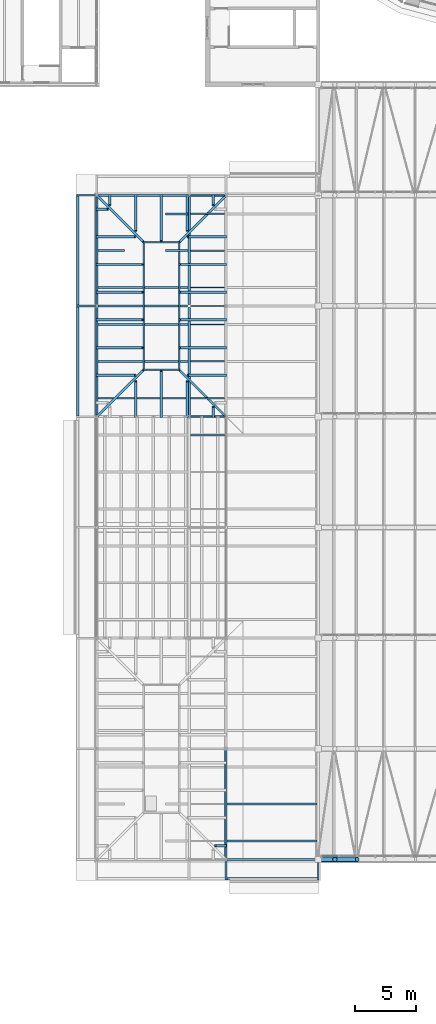
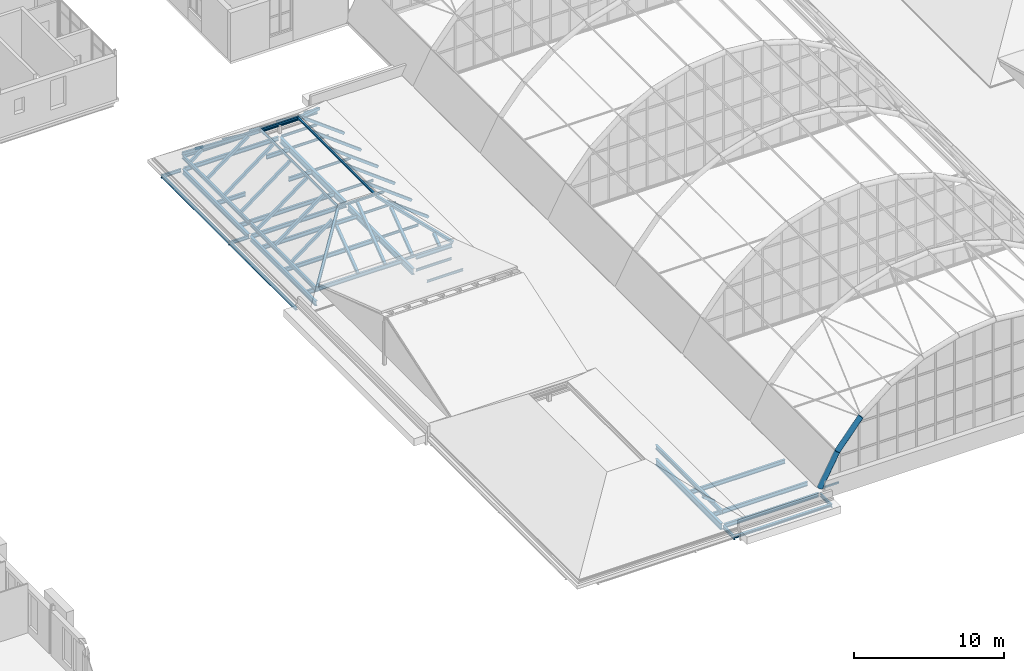
# One storey, part 19 of 121: 40 beams, 34 members, 1 element without a shape of its own.
"""IFC4 building model written with IfcOpenShell, lengths in metres."""

from ifc_helpers import new_model, si_unit, direction, frame, origin, origin_2d, place, context, subcontext, project, spatial, hollow_rectangle, hollow_circle, i_section, extrude, material, material_profile, profile_set, type_object, element, aggregate, save


model = new_model("IFC4")

# Units and contexts
model_context = context("Model", 3, precision=1e-05, world=origin(), true_north=direction((0.0, 1.0)))
body_context = subcontext(model_context, "Body", "Model", "MODEL_VIEW")
ifc_project = project(units=[si_unit("LENGTHUNIT", "METRE"), si_unit("AREAUNIT", "SQUARE_METRE"), si_unit("VOLUMEUNIT", "CUBIC_METRE"), si_unit("PLANEANGLEUNIT", "RADIAN"), si_unit("MASSUNIT", "GRAM", prefix="KILO")], contexts=[model_context])

# Site, building, storey
site_placement = place(None, origin())
site = spatial("IfcSite", under=ifc_project, at=site_placement, CompositionType="ELEMENT")
building_placement = place(site_placement, origin())
building = spatial("IfcBuilding", under=site, at=building_placement, Name="Golden Quay Civic Hall", CompositionType="ELEMENT")
storey_placement = place(building_placement, frame((0.0, 0.0, 18.60009765625)))
storey = spatial("IfcBuildingStorey", under=building, at=storey_placement, Name="L04", CompositionType="ELEMENT", Elevation=18.60009765625)

# Beams
ifc_material_1 = material(Name="Steel S355", Category="steel")
ifc_material_profile_1 = material_profile(ifc_material_1, i_section(OverallWidth=0.199951171875, OverallDepth=0.18994140625, WebThickness=0.006591796875, FlangeThickness=0.010009765625, FilletRadius=0.01806640625, at=origin_2d()), Name="HEA 200")
ifc_profile_set_1 = profile_set([ifc_material_profile_1], Name="Steel S355")
beam_type_1 = type_object("IfcBeamType", Name="Eave edge beam HEA 200", PredefinedType="BEAM", material=ifc_profile_set_1)
for number, where, z_axis, x_axis, name in (
    (1, (52.449951171875, 36.0673828125, -0.34521484375), (0.0, 1.0, 0.0), (-1.0, 0.0, 0.0), "Eave edge beam HEA 200 L04 5"),
    (2, (52.449951171875, 45.0673828125, -0.34521484375), (0.0, 1.0, 0.0), (-1.0, 0.0, 0.0), "Eave edge beam HEA 200 L04 6"),
):
    element("IfcBeam", number, at=place(storey_placement, frame(where, z_axis=z_axis, x_axis=x_axis)), inside=storey, type_object=beam_type_1, Name=name, PredefinedType="BEAM", context=body_context, shape_type="SweptSolid", body=[
        extrude(i_section(OverallWidth=0.199951171875, OverallDepth=0.18994140625, WebThickness=0.006591796875, FlangeThickness=0.010009765625, FilletRadius=0.01806640625, at=origin_2d()), origin(), (0.0, 0.0, 1.0), 8.865234375),
    ])
beam_1_placement = place(storey_placement, frame((64.5673828125, -1.550048828125, -0.34521484375), z_axis=(1.0, 0.0, 0.0), x_axis=(0.0, 1.0, 0.0)))
element("IfcBeam", 3, at=beam_1_placement, inside=storey, type_object=beam_type_1, Name="Eave edge beam HEA 200 L04 12", PredefinedType="BEAM", context=body_context, shape_type="SweptSolid", body=[
    extrude(i_section(OverallWidth=0.199951171875, OverallDepth=0.18994140625, WebThickness=0.006591796875, FlangeThickness=0.010009765625, FilletRadius=0.01806640625, at=origin_2d()), origin(), (0.0, 0.0, 1.0), 7.365234375),
])
ifc_material_2 = material(Name="Steel S355", Category="steel")
ifc_material_profile_2 = material_profile(ifc_material_2, i_section(OverallWidth=0.135009765625, OverallDepth=0.27001953125, WebThickness=0.006591796875, FlangeThickness=0.01025390625, FilletRadius=0.014892578125, at=origin_2d()), Name="IPE 270")
ifc_profile_set_2 = profile_set([ifc_material_profile_2], Name="Steel S355")
beam_type_2 = type_object("IfcBeamType", Name="Eave stub IPE 270", PredefinedType="BEAM", material=ifc_profile_set_2)
for number, where, z_axis, x_axis, name in (
    (4, (53.89990234375, 45.0, -0.385009765625), (-1.0, 0.0, 0.0), (0.0, -1.0, 0.0), "Eave stub IPE 270 L04 6"),
    (5, (53.89990234375, 54.0, -0.385009765625), (-1.0, 0.0, 0.0), (0.0, -1.0, 0.0), "Eave stub IPE 270 L04 7"),
):
    element("IfcBeam", number, at=place(storey_placement, frame(where, z_axis=z_axis, x_axis=x_axis)), inside=storey, type_object=beam_type_2, Name=name, PredefinedType="BEAM", context=body_context, shape_type="SweptSolid", body=[
        extrude(i_section(OverallWidth=0.135009765625, OverallDepth=0.27001953125, WebThickness=0.006591796875, FlangeThickness=0.01025390625, FilletRadius=0.014892578125, at=origin_2d()), origin(), (0.0, 0.0, 1.0), 1.5498046875),
    ])
for number, where, z_axis, x_axis, name in (
    (6, (64.5, -0.094970703125, -0.385009765625), (0.0, -1.0, 0.0), (1.0, 0.0, 0.0), "Eave stub IPE 270 L04 14"),
    (7, (72.0, -0.094970703125, -0.385009765625), (0.0, -1.0, 0.0), (1.0, 0.0, 0.0), "Eave stub IPE 270 L04 15"),
):
    element("IfcBeam", number, at=place(storey_placement, frame(where, z_axis=z_axis, x_axis=x_axis)), inside=storey, type_object=beam_type_2, Name=name, PredefinedType="BEAM", context=body_context, shape_type="SweptSolid", body=[
        extrude(i_section(OverallWidth=0.135009765625, OverallDepth=0.27001953125, WebThickness=0.006591796875, FlangeThickness=0.01025390625, FilletRadius=0.014892578125, at=origin_2d()), origin(), (0.0, 0.0, 1.0), 1.554931640625),
    ])

# Members
ifc_material_3 = material(Name="Steel S355", Category="steel")
ifc_material_profile_3 = material_profile(ifc_material_3, hollow_circle(Radius=0.203125, WallThickness=0.01611328125, at=origin_2d()), Name="CHS 406.4x16")
ifc_profile_set_3 = profile_set([ifc_material_profile_3], Name="Steel S355")
member_type_1 = type_object("IfcMemberType", Name="Steel arch rib CHS 406.4x16", PredefinedType="USERDEFINED", material=ifc_profile_set_3)
for number, where, z_axis, x_axis, name in (
    (8, (72.0, 0.0, 0.099853515625), (0.473092307375, 0.0, 0.881012865231), (0.0, 1.0, 0.0), "Arch rib 1 segment 1"),
    (9, (73.35400390625, 0.0, 2.621337890625), (0.635608575128, 0.0, 0.772011489049), (0.0, 1.0, 0.0), "Arch rib 1 segment 2"),
):
    element("IfcMember", number, at=place(storey_placement, frame(where, z_axis=z_axis, x_axis=x_axis)), inside=storey, type_object=member_type_1, Name=name, ObjectType="ARCH RIB", PredefinedType="USERDEFINED", context=body_context, shape_type="SweptSolid", body=[
        extrude(hollow_circle(Radius=0.203125, WallThickness=0.01611328125, at=origin_2d()), origin(), (0.0, 0.0, 1.0), 2.862060546875),
    ])

# Beams
ifc_material_4 = material(Name="Steel S355", Category="steel")
ifc_material_profile_4 = material_profile(ifc_material_4, i_section(OverallWidth=0.10009765625, OverallDepth=0.199951171875, WebThickness=0.005615234375, FlangeThickness=0.008544921875, FilletRadius=0.011962890625, at=origin_2d()), Name="IPE 200")
ifc_profile_set_4 = profile_set([ifc_material_profile_4], Name="Steel S355")
beam_type_3 = type_object("IfcBeamType", Name="Steel beam IPE 200", PredefinedType="BEAM", material=ifc_profile_set_4)
for number, where, z_axis, x_axis, name in (
    (10, (61.6201171875, 36.0, -0.35009765625), (1.0, 0.0, 0.0), (0.0, 1.0, 0.0), "Beam S36-61.5"),
    (11, (61.6201171875, 45.0, -0.35009765625), (1.0, 0.0, 0.0), (0.0, 1.0, 0.0), "Beam S45-61.5"),
):
    element("IfcBeam", number, at=place(storey_placement, frame(where, z_axis=z_axis, x_axis=x_axis)), inside=storey, type_object=beam_type_3, Name=name, PredefinedType="BEAM", context=body_context, shape_type="SweptSolid", body=[
        extrude(i_section(OverallWidth=0.10009765625, OverallDepth=0.199951171875, WebThickness=0.005615234375, FlangeThickness=0.008544921875, FilletRadius=0.011962890625, at=origin_2d()), origin(), (0.0, 0.0, 1.0), 2.759765625),
    ])
beam_2_placement = place(storey_placement, frame((61.60009765625, 54.0, -0.35009765625), z_axis=(1.0, 0.0, 0.0), x_axis=(0.0, 1.0, 0.0)))
element("IfcBeam", 12, at=beam_2_placement, inside=storey, type_object=beam_type_3, Name="Beam S54-61.5", PredefinedType="BEAM", context=body_context, shape_type="SweptSolid", body=[
    extrude(i_section(OverallWidth=0.10009765625, OverallDepth=0.199951171875, WebThickness=0.005615234375, FlangeThickness=0.008544921875, FilletRadius=0.011962890625, at=origin_2d()), origin(), (0.0, 0.0, 1.0), 2.7998046875),
])
ifc_material_5 = material(Name="Steel S355", Category="steel")
ifc_material_profile_5 = material_profile(ifc_material_5, i_section(OverallWidth=0.159912109375, OverallDepth=0.330078125, WebThickness=0.007568359375, FlangeThickness=0.011474609375, FilletRadius=0.01806640625, at=origin_2d()), Name="IPE 330")
ifc_profile_set_5 = profile_set([ifc_material_profile_5], Name="Steel S355")
beam_type_4 = type_object("IfcBeamType", Name="Steel beam IPE 330", PredefinedType="BEAM", material=ifc_profile_set_5)
beam_3_placement = place(storey_placement, frame((64.60009765625, 0.0, -0.4150390625), z_axis=(1.0, 0.0, 0.0), x_axis=(0.0, 1.0, 0.0)))
element("IfcBeam", 13, at=beam_3_placement, inside=storey, type_object=beam_type_4, Name="Beam S0-64.5", PredefinedType="BEAM", context=body_context, shape_type="SweptSolid", body=[
    extrude(i_section(OverallWidth=0.159912109375, OverallDepth=0.330078125, WebThickness=0.007568359375, FlangeThickness=0.011474609375, FilletRadius=0.01806640625, at=origin_2d()), origin(), (0.0, 0.0, 1.0), 7.2998046875),
])
beam_4_placement = place(storey_placement, frame((54.10009765625, 45.0, -0.4150390625), z_axis=(1.0, 0.0, 0.0), x_axis=(0.0, 1.0, 0.0)))
element("IfcBeam", 14, at=beam_4_placement, inside=storey, type_object=beam_type_4, Name="Beam S45-54", PredefinedType="BEAM", context=body_context, shape_type="SweptSolid", body=[
    extrude(i_section(OverallWidth=0.159912109375, OverallDepth=0.330078125, WebThickness=0.007568359375, FlangeThickness=0.011474609375, FilletRadius=0.01806640625, at=origin_2d()), origin(), (0.0, 0.0, 1.0), 7.27978515625),
])
beam_5_placement = place(storey_placement, frame((54.10009765625, 54.0, -0.4150390625), z_axis=(1.0, 0.0, 0.0), x_axis=(0.0, 1.0, 0.0)))
element("IfcBeam", 15, at=beam_5_placement, inside=storey, type_object=beam_type_4, Name="Beam S54-54", PredefinedType="BEAM", context=body_context, shape_type="SweptSolid", body=[
    extrude(i_section(OverallWidth=0.159912109375, OverallDepth=0.330078125, WebThickness=0.007568359375, FlangeThickness=0.011474609375, FilletRadius=0.01806640625, at=origin_2d()), origin(), (0.0, 0.0, 1.0), 7.2998046875),
])
ifc_material_6 = material(Name="Steel S355", Category="steel")
ifc_material_profile_6 = material_profile(ifc_material_6, i_section(OverallWidth=0.179931640625, OverallDepth=0.39990234375, WebThickness=0.008544921875, FlangeThickness=0.013427734375, FilletRadius=0.02099609375, at=origin_2d()), Name="IPE 400")
ifc_profile_set_6 = profile_set([ifc_material_profile_6], Name="Steel S355")
beam_type_5 = type_object("IfcBeamType", Name="Steel beam IPE 400", PredefinedType="BEAM", material=ifc_profile_set_6)
for number, where, z_axis, x_axis, name in (
    (16, (54.0, 36.094970703125, -0.4501953125), (0.0, 1.0, 0.0), (-1.0, 0.0, 0.0), "Beam L54-36"),
    (17, (54.0, 45.094970703125, -0.4501953125), (0.0, 1.0, 0.0), (-1.0, 0.0, 0.0), "Beam L54-45"),
):
    element("IfcBeam", number, at=place(storey_placement, frame(where, z_axis=z_axis, x_axis=x_axis)), inside=storey, type_object=beam_type_5, Name=name, PredefinedType="BEAM", context=body_context, shape_type="SweptSolid", body=[
        extrude(i_section(OverallWidth=0.179931640625, OverallDepth=0.39990234375, WebThickness=0.008544921875, FlangeThickness=0.013427734375, FilletRadius=0.02099609375, at=origin_2d()), origin(), (0.0, 0.0, 1.0), 8.81005859375),
    ])
ifc_material_7 = material(Name="Steel S355", Category="steel")
ifc_material_profile_7 = material_profile(ifc_material_7, i_section(OverallWidth=0.199951171875, OverallDepth=0.5, WebThickness=0.01025390625, FlangeThickness=0.01611328125, FilletRadius=0.02099609375, at=origin_2d()), Name="IPE 500")
ifc_profile_set_7 = profile_set([ifc_material_profile_7], Name="Steel S355")
beam_type_6 = type_object("IfcBeamType", Name="Steel beam IPE 500", PredefinedType="BEAM", material=ifc_profile_set_7)
beam_6_placement = place(storey_placement, frame((61.5, 36.114990234375, -0.5), z_axis=(0.0, 1.0, 0.0), x_axis=(-1.0, 0.0, 0.0)))
element("IfcBeam", 18, at=beam_6_placement, inside=storey, type_object=beam_type_6, Name="Beam L61.5-36", PredefinedType="BEAM", context=body_context, shape_type="SweptSolid", body=[
    extrude(i_section(OverallWidth=0.199951171875, OverallDepth=0.5, WebThickness=0.01025390625, FlangeThickness=0.01611328125, FilletRadius=0.02099609375, at=origin_2d()), origin(), (0.0, 0.0, 1.0), 8.77001953125),
])
for number, where, z_axis, x_axis, name in (
    (19, (61.5, 45.114990234375, -0.5), (0.0, 1.0, 0.0), (-1.0, 0.0, 0.0), "Beam L61.5-45"),
    (20, (64.5, 0.094970703125, -0.5), (0.0, 1.0, 0.0), (-1.0, 0.0, 0.0), "Beam L64.5-0"),
):
    element("IfcBeam", number, at=place(storey_placement, frame(where, z_axis=z_axis, x_axis=x_axis)), inside=storey, type_object=beam_type_6, Name=name, PredefinedType="BEAM", context=body_context, shape_type="SweptSolid", body=[
        extrude(i_section(OverallWidth=0.199951171875, OverallDepth=0.5, WebThickness=0.01025390625, FlangeThickness=0.01611328125, FilletRadius=0.02099609375, at=origin_2d()), origin(), (0.0, 0.0, 1.0), 8.7900390625),
    ])

# Members
ifc_material_8 = material(Name="Steel S355", Category="steel")
ifc_material_profile_8 = material_profile(ifc_material_8, hollow_rectangle(XDim=0.199951171875, YDim=0.199951171875, WallThickness=0.010009765625, at=origin_2d()), Name="SHS 200x200x10")
ifc_profile_set_8 = profile_set([ifc_material_profile_8], Name="Steel S355")
member_type_2 = type_object("IfcMemberType", Name="Steel jack rafter SHS 200x200x10", PredefinedType="RAFTER", material=ifc_profile_set_8)
member_1_placement = place(storey_placement, frame((64.5, 1.125, 0.96484375), z_axis=(-0.8, 0.0, 0.6), x_axis=(0.0, -1.0, 0.0)))
element("IfcMember", 21, at=member_1_placement, inside=storey, type_object=member_type_2, Name="Jack rafter WM-S east 1", PredefinedType="RAFTER", context=body_context, shape_type="SweptSolid", body=[
    extrude(hollow_rectangle(XDim=0.199951171875, YDim=0.199951171875, WallThickness=0.010009765625, at=origin_2d()), origin(), (0.0, 0.0, 1.0), 1.09375),
])
member_2_placement = place(storey_placement, frame((57.14990234375, 36.0, 0.96484375), z_axis=(0.0, 0.799983835699, 0.600021551797), x_axis=(-1.0, 0.0, 0.0)))
element("IfcMember", 22, at=member_2_placement, inside=storey, type_object=member_type_2, Name="Jack rafter WM-N south 2", PredefinedType="RAFTER", context=body_context, shape_type="SweptSolid", body=[
    extrude(hollow_rectangle(XDim=0.199951171875, YDim=0.199951171875, WallThickness=0.010009765625, at=origin_2d()), origin(), (0.0, 0.0, 1.0), 3.625),
])
member_3_placement = place(storey_placement, frame((59.25, 36.0, 0.96484375), z_axis=(0.0, 0.8, 0.6), x_axis=(-1.0, 0.0, 0.0)))
element("IfcMember", 23, at=member_3_placement, inside=storey, type_object=member_type_2, Name="Jack rafter WM-N south 3", PredefinedType="RAFTER", context=body_context, shape_type="SweptSolid", body=[
    extrude(hollow_rectangle(XDim=0.199951171875, YDim=0.199951171875, WallThickness=0.010009765625, at=origin_2d()), origin(), (0.0, 0.0, 1.0), 4.6875),
])
member_4_placement = place(storey_placement, frame((61.35009765625, 36.0, 0.96484375), z_axis=(0.0, 0.799983835699, 0.600021551797), x_axis=(-1.0, 0.0, 0.0)))
element("IfcMember", 24, at=member_4_placement, inside=storey, type_object=member_type_2, Name="Jack rafter WM-N south 4", PredefinedType="RAFTER", context=body_context, shape_type="SweptSolid", body=[
    extrude(hollow_rectangle(XDim=0.199951171875, YDim=0.199951171875, WallThickness=0.010009765625, at=origin_2d()), origin(), (0.0, 0.0, 1.0), 3.625),
])
for number, where, z_axis, x_axis, name in (
    (25, (63.449951171875, 36.0, 0.96484375), (0.0, 0.799970705032, 0.600039057971), (-1.0, 0.0, 0.0), "Jack rafter WM-N south 5"),
    (26, (55.050048828125, 54.0, 0.96484375), (0.0, -0.799970705032, 0.600039057971), (1.0, 0.0, 0.0), "Jack rafter WM-N north 1"),
):
    element("IfcMember", number, at=place(storey_placement, frame(where, z_axis=z_axis, x_axis=x_axis)), inside=storey, type_object=member_type_2, Name=name, PredefinedType="RAFTER", context=body_context, shape_type="SweptSolid", body=[
        extrude(hollow_rectangle(XDim=0.199951171875, YDim=0.199951171875, WallThickness=0.010009765625, at=origin_2d()), origin(), (0.0, 0.0, 1.0), 1.0),
    ])
member_5_placement = place(storey_placement, frame((57.14990234375, 54.0, 0.96484375), z_axis=(0.0, -0.799983835699, 0.600021551797), x_axis=(1.0, 0.0, 0.0)))
element("IfcMember", 27, at=member_5_placement, inside=storey, type_object=member_type_2, Name="Jack rafter WM-N north 2", PredefinedType="RAFTER", context=body_context, shape_type="SweptSolid", body=[
    extrude(hollow_rectangle(XDim=0.199951171875, YDim=0.199951171875, WallThickness=0.010009765625, at=origin_2d()), origin(), (0.0, 0.0, 1.0), 3.625),
])
member_6_placement = place(storey_placement, frame((59.25, 54.0, 0.96484375), z_axis=(0.0, -0.8, 0.6), x_axis=(1.0, 0.0, 0.0)))
element("IfcMember", 28, at=member_6_placement, inside=storey, type_object=member_type_2, Name="Jack rafter WM-N north 3", PredefinedType="RAFTER", context=body_context, shape_type="SweptSolid", body=[
    extrude(hollow_rectangle(XDim=0.199951171875, YDim=0.199951171875, WallThickness=0.010009765625, at=origin_2d()), origin(), (0.0, 0.0, 1.0), 4.6875),
])
member_7_placement = place(storey_placement, frame((61.35009765625, 54.0, 0.96484375), z_axis=(0.0, -0.799983835699, 0.600021551797), x_axis=(1.0, 0.0, 0.0)))
element("IfcMember", 29, at=member_7_placement, inside=storey, type_object=member_type_2, Name="Jack rafter WM-N north 4", PredefinedType="RAFTER", context=body_context, shape_type="SweptSolid", body=[
    extrude(hollow_rectangle(XDim=0.199951171875, YDim=0.199951171875, WallThickness=0.010009765625, at=origin_2d()), origin(), (0.0, 0.0, 1.0), 3.625),
])
member_8_placement = place(storey_placement, frame((63.449951171875, 54.0, 0.96484375), z_axis=(0.0, -0.799970705032, 0.600039057971), x_axis=(1.0, 0.0, 0.0)))
element("IfcMember", 30, at=member_8_placement, inside=storey, type_object=member_type_2, Name="Jack rafter WM-N north 5", PredefinedType="RAFTER", context=body_context, shape_type="SweptSolid", body=[
    extrude(hollow_rectangle(XDim=0.199951171875, YDim=0.199951171875, WallThickness=0.010009765625, at=origin_2d()), origin(), (0.0, 0.0, 1.0), 1.0),
])
member_9_placement = place(storey_placement, frame((54.0, 39.375, 0.96484375), z_axis=(0.8, 0.0, 0.6), x_axis=(0.0, 1.0, 0.0)))
element("IfcMember", 31, at=member_9_placement, inside=storey, type_object=member_type_2, Name="Jack rafter WM-N west 2", PredefinedType="RAFTER", context=body_context, shape_type="SweptSolid", body=[
    extrude(hollow_rectangle(XDim=0.199951171875, YDim=0.199951171875, WallThickness=0.010009765625, at=origin_2d()), origin(), (0.0, 0.0, 1.0), 3.90625),
])
for number, where, z_axis, x_axis, name in (
    (32, (54.0, 41.625, 0.96484375), (0.8, 0.0, 0.6), (0.0, 1.0, 0.0), "Jack rafter WM-N west 3"),
    (33, (54.0, 43.875, 0.96484375), (0.8, 0.0, 0.6), (0.0, 1.0, 0.0), "Jack rafter WM-N west 4"),
    (34, (54.0, 46.125, 0.96484375), (0.8, 0.0, 0.6), (0.0, 1.0, 0.0), "Jack rafter WM-N west 5"),
    (35, (54.0, 48.375, 0.96484375), (0.8, 0.0, 0.6), (0.0, 1.0, 0.0), "Jack rafter WM-N west 6"),
):
    element("IfcMember", number, at=place(storey_placement, frame(where, z_axis=z_axis, x_axis=x_axis)), inside=storey, type_object=member_type_2, Name=name, PredefinedType="RAFTER", context=body_context, shape_type="SweptSolid", body=[
        extrude(hollow_rectangle(XDim=0.199951171875, YDim=0.199951171875, WallThickness=0.010009765625, at=origin_2d()), origin(), (0.0, 0.0, 1.0), 4.6875),
    ])
member_10_placement = place(storey_placement, frame((54.0, 50.625, 0.96484375), z_axis=(0.8, 0.0, 0.6), x_axis=(0.0, 1.0, 0.0)))
element("IfcMember", 36, at=member_10_placement, inside=storey, type_object=member_type_2, Name="Jack rafter WM-N west 7", PredefinedType="RAFTER", context=body_context, shape_type="SweptSolid", body=[
    extrude(hollow_rectangle(XDim=0.199951171875, YDim=0.199951171875, WallThickness=0.010009765625, at=origin_2d()), origin(), (0.0, 0.0, 1.0), 3.90625),
])
member_11_placement = place(storey_placement, frame((54.0, 52.875, 0.96484375), z_axis=(0.8, 0.0, 0.6), x_axis=(0.0, 1.0, 0.0)))
element("IfcMember", 37, at=member_11_placement, inside=storey, type_object=member_type_2, Name="Jack rafter WM-N west 8", PredefinedType="RAFTER", context=body_context, shape_type="SweptSolid", body=[
    extrude(hollow_rectangle(XDim=0.199951171875, YDim=0.199951171875, WallThickness=0.010009765625, at=origin_2d()), origin(), (0.0, 0.0, 1.0), 1.09375),
])
member_12_placement = place(storey_placement, frame((64.5, 39.375, 0.96484375), z_axis=(-0.8, 0.0, 0.6), x_axis=(0.0, -1.0, 0.0)))
element("IfcMember", 38, at=member_12_placement, inside=storey, type_object=member_type_2, Name="Jack rafter WM-N east 2", PredefinedType="RAFTER", context=body_context, shape_type="SweptSolid", body=[
    extrude(hollow_rectangle(XDim=0.199951171875, YDim=0.199951171875, WallThickness=0.010009765625, at=origin_2d()), origin(), (0.0, 0.0, 1.0), 3.90625),
])
for number, where, z_axis, x_axis, name in (
    (39, (64.5, 41.625, 0.96484375), (-0.8, 0.0, 0.6), (0.0, -1.0, 0.0), "Jack rafter WM-N east 3"),
    (40, (64.5, 43.875, 0.96484375), (-0.8, 0.0, 0.6), (0.0, -1.0, 0.0), "Jack rafter WM-N east 4"),
    (41, (64.5, 46.125, 0.96484375), (-0.8, 0.0, 0.6), (0.0, -1.0, 0.0), "Jack rafter WM-N east 5"),
    (42, (64.5, 48.375, 0.96484375), (-0.8, 0.0, 0.6), (0.0, -1.0, 0.0), "Jack rafter WM-N east 6"),
):
    element("IfcMember", number, at=place(storey_placement, frame(where, z_axis=z_axis, x_axis=x_axis)), inside=storey, type_object=member_type_2, Name=name, PredefinedType="RAFTER", context=body_context, shape_type="SweptSolid", body=[
        extrude(hollow_rectangle(XDim=0.199951171875, YDim=0.199951171875, WallThickness=0.010009765625, at=origin_2d()), origin(), (0.0, 0.0, 1.0), 4.6875),
    ])
member_13_placement = place(storey_placement, frame((64.5, 50.625, 0.96484375), z_axis=(-0.8, 0.0, 0.6), x_axis=(0.0, -1.0, 0.0)))
element("IfcMember", 43, at=member_13_placement, inside=storey, type_object=member_type_2, Name="Jack rafter WM-N east 7", PredefinedType="RAFTER", context=body_context, shape_type="SweptSolid", body=[
    extrude(hollow_rectangle(XDim=0.199951171875, YDim=0.199951171875, WallThickness=0.010009765625, at=origin_2d()), origin(), (0.0, 0.0, 1.0), 3.90625),
])

# Beams
ifc_material_9 = material(Name="Steel S355", Category="steel")
ifc_material_profile_9 = material_profile(ifc_material_9, i_section(OverallWidth=0.10009765625, OverallDepth=0.199951171875, WebThickness=0.005615234375, FlangeThickness=0.008544921875, FilletRadius=0.011962890625, at=origin_2d()), Name="IPE 200")
ifc_profile_set_9 = profile_set([ifc_material_profile_9], Name="Steel S355")
beam_type_7 = type_object("IfcBeamType", Name="Steel joist IPE 200", PredefinedType="JOIST", material=ifc_profile_set_9)
for number, where, z_axis, x_axis, name in (
    (44, (61.60009765625, 34.5, -0.35009765625), (1.0, 0.0, 0.0), (0.0, 1.0, 0.0), "Joist J34.5-61.5"),
    (45, (61.60009765625, 37.5, -0.35009765625), (1.0, 0.0, 0.0), (0.0, 1.0, 0.0), "Joist J37.5-61.5"),
    (46, (61.60009765625, 40.5, -0.35009765625), (1.0, 0.0, 0.0), (0.0, 1.0, 0.0), "Joist J40.5-61.5"),
    (47, (61.60009765625, 43.5, -0.35009765625), (1.0, 0.0, 0.0), (0.0, 1.0, 0.0), "Joist J43.5-61.5"),
    (48, (61.60009765625, 46.5, -0.35009765625), (1.0, 0.0, 0.0), (0.0, 1.0, 0.0), "Joist J46.5-61.5"),
    (49, (61.60009765625, 49.5, -0.35009765625), (1.0, 0.0, 0.0), (0.0, 1.0, 0.0), "Joist J49.5-61.5"),
    (50, (61.60009765625, 52.5, -0.35009765625), (1.0, 0.0, 0.0), (0.0, 1.0, 0.0), "Joist J52.5-61.5"),
):
    element("IfcBeam", number, at=place(storey_placement, frame(where, z_axis=z_axis, x_axis=x_axis)), inside=storey, type_object=beam_type_7, Name=name, PredefinedType="JOIST", context=body_context, shape_type="SweptSolid", body=[
        extrude(i_section(OverallWidth=0.10009765625, OverallDepth=0.199951171875, WebThickness=0.005615234375, FlangeThickness=0.008544921875, FilletRadius=0.011962890625, at=origin_2d()), origin(), (0.0, 0.0, 1.0), 2.7998046875),
    ])
ifc_material_10 = material(Name="Steel S355", Category="steel")
ifc_material_profile_10 = material_profile(ifc_material_10, i_section(OverallWidth=0.159912109375, OverallDepth=0.330078125, WebThickness=0.007568359375, FlangeThickness=0.011474609375, FilletRadius=0.01806640625, at=origin_2d()), Name="IPE 330")
ifc_profile_set_10 = profile_set([ifc_material_profile_10], Name="Steel S355")
beam_type_8 = type_object("IfcBeamType", Name="Steel joist IPE 330", PredefinedType="JOIST", material=ifc_profile_set_10)
for number, where, z_axis, x_axis, name in (
    (51, (64.60009765625, 1.5, -0.4150390625), (1.0, 0.0, 0.0), (0.0, 1.0, 0.0), "Joist J1.5-64.5"),
    (52, (64.60009765625, 4.5, -0.4150390625), (1.0, 0.0, 0.0), (0.0, 1.0, 0.0), "Joist J4.5-64.5"),
    (53, (54.090087890625, 37.5, -0.4150390625), (1.0, 0.0, 0.0), (0.0, 1.0, 0.0), "Joist J37.5-54"),
    (54, (54.090087890625, 40.5, -0.4150390625), (1.0, 0.0, 0.0), (0.0, 1.0, 0.0), "Joist J40.5-54"),
    (55, (54.090087890625, 43.5, -0.4150390625), (1.0, 0.0, 0.0), (0.0, 1.0, 0.0), "Joist J43.5-54"),
    (56, (54.090087890625, 46.5, -0.4150390625), (1.0, 0.0, 0.0), (0.0, 1.0, 0.0), "Joist J46.5-54"),
):
    element("IfcBeam", number, at=place(storey_placement, frame(where, z_axis=z_axis, x_axis=x_axis)), inside=storey, type_object=beam_type_8, Name=name, PredefinedType="JOIST", context=body_context, shape_type="SweptSolid", body=[
        extrude(i_section(OverallWidth=0.159912109375, OverallDepth=0.330078125, WebThickness=0.007568359375, FlangeThickness=0.011474609375, FilletRadius=0.01806640625, at=origin_2d()), origin(), (0.0, 0.0, 1.0), 7.309814453125),
    ])
beam_7_placement = place(storey_placement, frame((54.090087890625, 49.5, -0.4150390625), z_axis=(1.0, 0.0, 0.0), x_axis=(0.0, 1.0, 0.0)))
element("IfcBeam", 57, at=beam_7_placement, inside=storey, type_object=beam_type_8, Name="Joist J49.5-54-0", PredefinedType="JOIST", context=body_context, shape_type="SweptSolid", body=[
    extrude(i_section(OverallWidth=0.159912109375, OverallDepth=0.330078125, WebThickness=0.007568359375, FlangeThickness=0.011474609375, FilletRadius=0.01806640625, at=origin_2d()), origin(), (0.0, 0.0, 1.0), 2.159912109375),
])
for number, where, z_axis, x_axis, name in (
    (58, (59.60009765625, 49.5, -0.4150390625), (1.0, 0.0, 0.0), (0.0, 1.0, 0.0), "Joist J49.5-54-1"),
    (59, (59.60009765625, 52.5, -0.4150390625), (1.0, 0.0, 0.0), (0.0, 1.0, 0.0), "Joist J52.5-54-1"),
):
    element("IfcBeam", number, at=place(storey_placement, frame(where, z_axis=z_axis, x_axis=x_axis)), inside=storey, type_object=beam_type_8, Name=name, PredefinedType="JOIST", context=body_context, shape_type="SweptSolid", body=[
        extrude(i_section(OverallWidth=0.159912109375, OverallDepth=0.330078125, WebThickness=0.007568359375, FlangeThickness=0.011474609375, FilletRadius=0.01806640625, at=origin_2d()), origin(), (0.0, 0.0, 1.0), 1.7998046875),
    ])

# Members
ifc_material_11 = material(Name="Steel S355", Category="steel")
ifc_material_profile_11 = material_profile(ifc_material_11, hollow_rectangle(XDim=0.199951171875, YDim=0.199951171875, WallThickness=0.010009765625, at=origin_2d()), Name="SHS 200x200x10")
ifc_profile_set_11 = profile_set([ifc_material_profile_11], Name="Steel S355")
member_type_3 = type_object("IfcMemberType", Name="Steel pavilion hip rafter SHS 200x200x10", PredefinedType="RAFTER", material=ifc_profile_set_11)
for number, where, z_axis, x_axis, name in (
    (60, (54.0, 36.0, 0.92822265625), (0.625782928891, 0.625782928891, 0.465608689584), (-0.707106781187, 0.707106781187, 0.0), "Hip rafter WM-N south-west"),
    (61, (64.5, 36.0, 0.92822265625), (-0.625782928891, 0.625782928891, 0.465608689584), (-0.707106781187, -0.707106781187, 0.0), "Hip rafter WM-N south-east"),
    (62, (54.0, 54.0, 0.92822265625), (0.625782928891, -0.625782928891, 0.465608689584), (0.707106781187, 0.707106781187, 0.0), "Hip rafter WM-N north-west"),
    (63, (64.5, 54.0, 0.92822265625), (-0.625782928891, -0.625782928891, 0.465608689584), (0.707106781187, -0.707106781187, 0.0), "Hip rafter WM-N north-east"),
):
    element("IfcMember", number, at=place(storey_placement, frame(where, z_axis=z_axis, x_axis=x_axis)), inside=storey, type_object=member_type_3, Name=name, PredefinedType="RAFTER", context=body_context, shape_type="SweptSolid", body=[
        extrude(hollow_rectangle(XDim=0.199951171875, YDim=0.199951171875, WallThickness=0.010009765625, at=origin_2d()), origin(), (0.0, 0.0, 1.0), 6.04052734375),
    ])
ifc_material_12 = material(Name="Steel S355", Category="steel")
ifc_material_profile_12 = material_profile(ifc_material_12, hollow_rectangle(XDim=0.1201171875, YDim=0.1201171875, WallThickness=0.008056640625, at=origin_2d()), Name="SHS 120x120x8")
ifc_profile_set_12 = profile_set([ifc_material_profile_12], Name="Steel S355")
member_type_4 = type_object("IfcMemberType", Name="Steel roof purlin SHS 120x120x8", PredefinedType="PURLIN", material=ifc_profile_set_12)
for number, where, z_axis, x_axis, name in (
    (64, (57.75, 39.81494140625, 3.84228515625), (1.0, 0.0, 0.0), (0.0, 1.0, 0.0), "Cap purlin WM-N south"),
    (65, (57.75, 50.18505859375, 3.84228515625), (1.0, 0.0, 0.0), (0.0, 1.0, 0.0), "Cap purlin WM-N north"),
):
    element("IfcMember", number, at=place(storey_placement, frame(where, z_axis=z_axis, x_axis=x_axis)), inside=storey, type_object=member_type_4, Name=name, PredefinedType="PURLIN", context=body_context, shape_type="SweptSolid", body=[
        extrude(hollow_rectangle(XDim=0.1201171875, YDim=0.1201171875, WallThickness=0.008056640625, at=origin_2d()), origin(), (0.0, 0.0, 1.0), 3.0),
    ])
for number, where, z_axis, x_axis, name in (
    (66, (57.81494140625, 39.8798828125, 3.84228515625), (0.0, 1.0, 0.0), (-1.0, 0.0, 0.0), "Cap purlin WM-N west"),
    (67, (60.68505859375, 39.8798828125, 3.84228515625), (0.0, 1.0, 0.0), (-1.0, 0.0, 0.0), "Cap purlin WM-N east"),
):
    element("IfcMember", number, at=place(storey_placement, frame(where, z_axis=z_axis, x_axis=x_axis)), inside=storey, type_object=member_type_4, Name=name, PredefinedType="PURLIN", context=body_context, shape_type="SweptSolid", body=[
        extrude(hollow_rectangle(XDim=0.1201171875, YDim=0.1201171875, WallThickness=0.008056640625, at=origin_2d()), origin(), (0.0, 0.0, 1.0), 10.240234375),
    ])

# Curtain wall, member
ifc_material_13 = material(Name="Glass and aluminium", Category="aluminium")
curtain_wall_type = type_object("IfcCurtainWallType", Name="Glazed curtain wall 1500 module", PredefinedType="NOTDEFINED", material=ifc_material_13)
curtain_wall_placement = place(storey_placement, origin())
curtain_wall = element("IfcCurtainWall", 68, at=curtain_wall_placement, inside=storey, type_object=curtain_wall_type, Name="Curtain wall tympanum south", PredefinedType="NOTDEFINED")
ifc_material_14 = material(Name="Steel S355", Category="steel")
ifc_material_profile_13 = material_profile(ifc_material_14, hollow_rectangle(XDim=0.1201171875, YDim=0.1201171875, WallThickness=0.008056640625, at=origin_2d()), Name="SHS 120x120x8")
ifc_profile_set_13 = profile_set([ifc_material_profile_13], Name="Steel S355")
member_type_5 = type_object("IfcMemberType", Name="Steel transom SHS 120x120x8", PredefinedType="USERDEFINED", material=ifc_profile_set_13)
member_14_placement = place(storey_placement, frame((72.320068359375, 0.27001953125, -0.190185546875), z_axis=(1.0, 0.0, 0.0), x_axis=(0.0, 1.0, 0.0)))
member_14 = element("IfcMember", 69, at=member_14_placement, type_object=member_type_5, Name="Tympanum transom 1.1", ObjectType="TRANSOM", PredefinedType="USERDEFINED", context=body_context, shape_type="SweptSolid", body=[
    extrude(hollow_rectangle(XDim=0.1201171875, YDim=0.1201171875, WallThickness=0.008056640625, at=origin_2d()), origin(), (0.0, 0.0, 1.0), 1.297607421875),
])
aggregate(curtain_wall, [member_14])

# Beams
ifc_material_15 = material(Name="Steel S355", Category="steel")
ifc_material_profile_14 = material_profile(ifc_material_15, i_section(OverallWidth=0.159912109375, OverallDepth=0.330078125, WebThickness=0.007568359375, FlangeThickness=0.011474609375, FilletRadius=0.01806640625, at=origin_2d()), Name="IPE 330")
ifc_profile_set_14 = profile_set([ifc_material_profile_14], Name="Steel S355")
beam_type_9 = type_object("IfcBeamType", Name="Steel wall plate beam IPE 330", PredefinedType="BEAM", material=ifc_profile_set_14)
beam_8_placement = place(storey_placement, frame((64.5, 0.0, 0.719970703125), z_axis=(0.0, 1.0, 0.0), x_axis=(-1.0, 0.0, 0.0)))
element("IfcBeam", 70, at=beam_8_placement, inside=storey, type_object=beam_type_9, Name="Wall plate beam WM-S E1", PredefinedType="BEAM", context=body_context, shape_type="SweptSolid", body=[
    extrude(i_section(OverallWidth=0.159912109375, OverallDepth=0.330078125, WebThickness=0.007568359375, FlangeThickness=0.011474609375, FilletRadius=0.01806640625, at=origin_2d()), origin(), (0.0, 0.0, 1.0), 8.885009765625),
])
beam_9_placement = place(storey_placement, frame((61.6201171875, 36.0, 0.719970703125), z_axis=(1.0, 0.0, 0.0), x_axis=(0.0, 1.0, 0.0)))
element("IfcBeam", 71, at=beam_9_placement, inside=storey, type_object=beam_type_9, Name="Wall plate beam WM-N S2", PredefinedType="BEAM", context=body_context, shape_type="SweptSolid", body=[
    extrude(i_section(OverallWidth=0.159912109375, OverallDepth=0.330078125, WebThickness=0.007568359375, FlangeThickness=0.011474609375, FilletRadius=0.01806640625, at=origin_2d()), origin(), (0.0, 0.0, 1.0), 2.7998046875),
])
beam_10_placement = place(storey_placement, frame((54.080078125, 54.0, 0.719970703125), z_axis=(1.0, 0.0, 0.0), x_axis=(0.0, 1.0, 0.0)))
element("IfcBeam", 72, at=beam_10_placement, inside=storey, type_object=beam_type_9, Name="Wall plate beam WM-N N1", PredefinedType="BEAM", context=body_context, shape_type="SweptSolid", body=[
    extrude(i_section(OverallWidth=0.159912109375, OverallDepth=0.330078125, WebThickness=0.007568359375, FlangeThickness=0.011474609375, FilletRadius=0.01806640625, at=origin_2d()), origin(), (0.0, 0.0, 1.0), 7.31982421875),
])
beam_11_placement = place(storey_placement, frame((61.60009765625, 54.0, 0.719970703125), z_axis=(1.0, 0.0, 0.0), x_axis=(0.0, 1.0, 0.0)))
element("IfcBeam", 73, at=beam_11_placement, inside=storey, type_object=beam_type_9, Name="Wall plate beam WM-N N2", PredefinedType="BEAM", context=body_context, shape_type="SweptSolid", body=[
    extrude(i_section(OverallWidth=0.159912109375, OverallDepth=0.330078125, WebThickness=0.007568359375, FlangeThickness=0.011474609375, FilletRadius=0.01806640625, at=origin_2d()), origin(), (0.0, 0.0, 1.0), 2.81982421875),
])
for number, where, z_axis, x_axis, name in (
    (74, (54.0, 36.0, 0.719970703125), (0.0, 1.0, 0.0), (-1.0, 0.0, 0.0), "Wall plate beam WM-N W1"),
    (75, (54.0, 45.094970703125, 0.719970703125), (0.0, 1.0, 0.0), (-1.0, 0.0, 0.0), "Wall plate beam WM-N W2"),
):
    element("IfcBeam", number, at=place(storey_placement, frame(where, z_axis=z_axis, x_axis=x_axis)), inside=storey, type_object=beam_type_9, Name=name, PredefinedType="BEAM", context=body_context, shape_type="SweptSolid", body=[
        extrude(i_section(OverallWidth=0.159912109375, OverallDepth=0.330078125, WebThickness=0.007568359375, FlangeThickness=0.011474609375, FilletRadius=0.01806640625, at=origin_2d()), origin(), (0.0, 0.0, 1.0), 8.905029296875),
    ])

save(model, "model.ifc")
